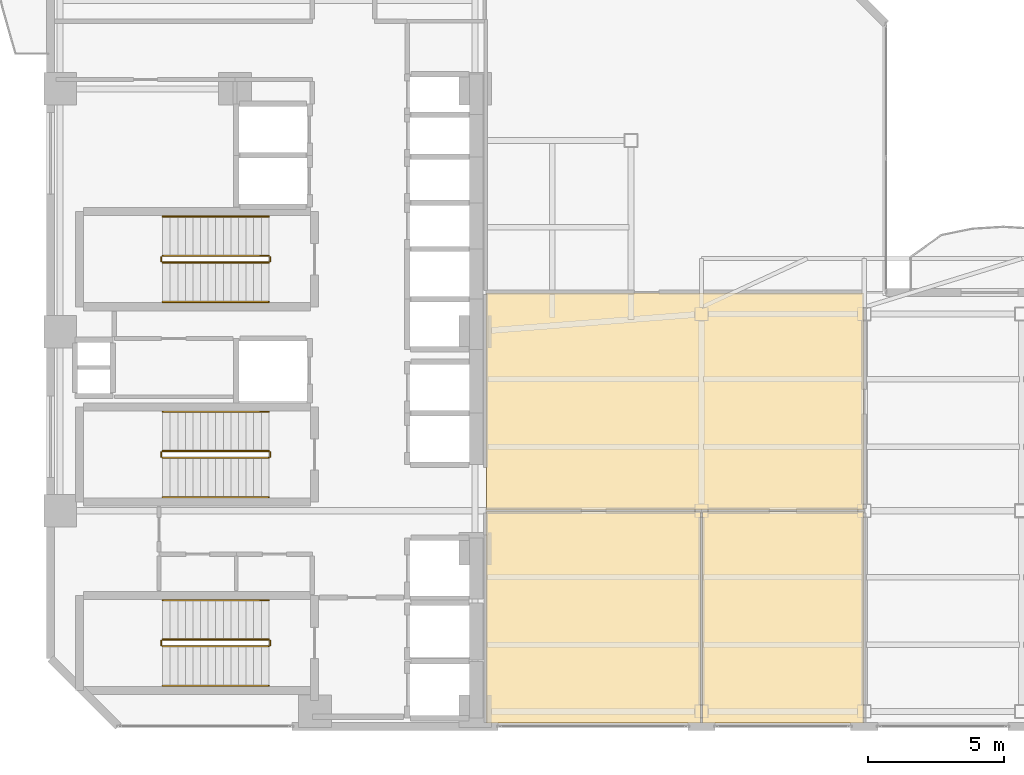
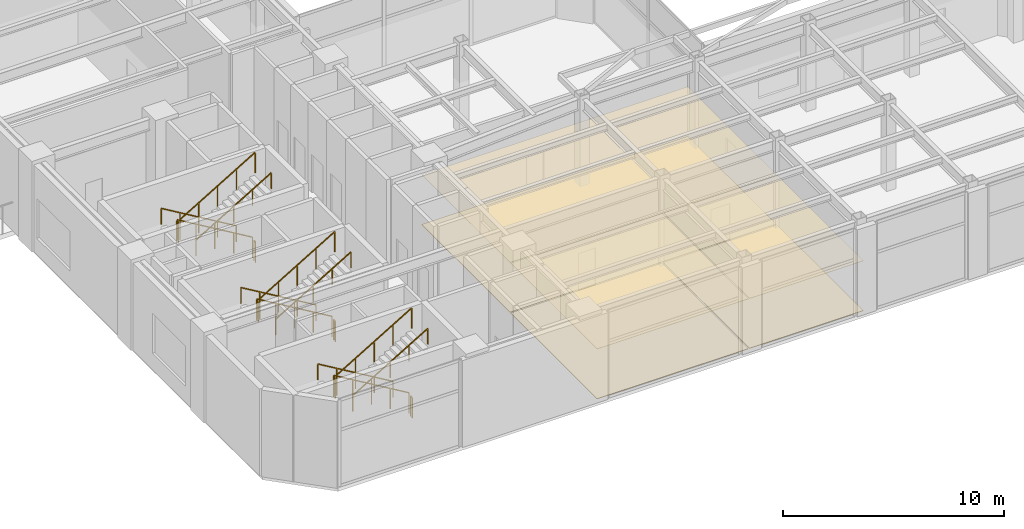
# One storey, part 21 of 23: 18 railings, 6 coverings.
"""IFC4 building model written with IfcOpenShell, lengths in metres."""

from ifc_helpers import new_model, si_unit, direction, frame, origin, origin_2d, place, context, subcontext, project, spatial, polyline, rectangle, outline, extrude, material, layer, layer_set, type_object, element, save


model = new_model("IFC4")

# Units and contexts
model_context = context("Model", 3, precision=1e-05, world=origin(), true_north=direction((0.0, 1.0)))
body_context = subcontext(model_context, "Body", "Model", "MODEL_VIEW")
ifc_project = project(units=[si_unit("LENGTHUNIT", "METRE"), si_unit("AREAUNIT", "SQUARE_METRE"), si_unit("VOLUMEUNIT", "CUBIC_METRE"), si_unit("PLANEANGLEUNIT", "RADIAN"), si_unit("MASSUNIT", "GRAM", prefix="KILO")], contexts=[model_context])

# Site, building, storey
site_placement = place(None, origin())
site = spatial("IfcSite", under=ifc_project, at=site_placement, CompositionType="ELEMENT")
building_placement = place(site_placement, origin())
building = spatial("IfcBuilding", under=site, at=building_placement, Name="Mawjaban Terraces University", CompositionType="ELEMENT")
storey_placement = place(building_placement, frame((0.0, 0.0, 98.39990234375)))
storey = spatial("IfcBuildingStorey", under=building, at=storey_placement, Name="L23", CompositionType="ELEMENT", Elevation=98.39990234375)

# Coverings
ifc_material_1 = material(Name="Acoustic mineral fibre ceiling tile", Category="masonry")
ifc_layer_1 = layer(ifc_material_1, 0.02001953125)
ifc_layer_set_1 = layer_set([ifc_layer_1], Name="Acoustic mineral fibre ceiling tile")
covering_type_1 = type_object("IfcCoveringType", Name="AcousticMineralCeiling_20", PredefinedType="CEILING", material=ifc_layer_set_1)
covering_1_placement = place(storey_placement, frame((0.0, 0.0, 2.75)))
element("IfcCovering", 1, at=covering_1_placement, inside=storey, type_object=covering_type_1, Name="L23 Transfer Sky Lobby Concourse Acoustic Ceiling", PredefinedType="CEILING", context=body_context, shape_type="SweptSolid", body=[
    extrude(outline(polyline([(51.969970703125, 15.969970703125), (38.080078125, 15.969970703125), (38.080078125, 7.97998046875), (51.969970703125, 7.97998046875), (51.969970703125, 15.969970703125)])), origin(), (0.0, 0.0, 1.0), 0.02001953125),
])
covering_2_placement = place(storey_placement, frame((0.0, 0.0, 2.75)))
element("IfcCovering", 2, at=covering_2_placement, inside=storey, type_object=covering_type_1, Name="L23 Colloquium Seminar Room 1 Acoustic Ceiling", PredefinedType="CEILING", context=body_context, shape_type="SweptSolid", body=[
    extrude(outline(polyline([(38.080078125, 0.114990234375), (45.969970703125, 0.114990234375), (45.969970703125, 7.919921875), (38.080078125, 7.919921875), (38.080078125, 0.114990234375)])), origin(), (0.0, 0.0, 1.0), 0.02001953125),
])
covering_3_placement = place(storey_placement, frame((0.0, 0.0, 2.75)))
element("IfcCovering", 3, at=covering_3_placement, inside=storey, type_object=covering_type_1, Name="L23 Colloquium Seminar Room 2 Acoustic Ceiling", PredefinedType="CEILING", context=body_context, shape_type="SweptSolid", body=[
    extrude(outline(polyline([(46.030029296875, 0.114990234375), (51.969970703125, 0.114990234375), (51.969970703125, 7.919921875), (46.030029296875, 7.919921875), (46.030029296875, 0.114990234375)])), origin(), (0.0, 0.0, 1.0), 0.02001953125),
])

# Railings
ifc_material_2 = material(Name="Brushed stainless steel 316", Category="steel")
railing_type_1 = type_object("IfcRailingType", Name="StairWallHandrail_900", PredefinedType="HANDRAIL", material=ifc_material_2)
railing_1_placement = place(storey_placement, frame((30.050048828125, 4.64990234375, 0.166748046875)))
element("IfcRailing", 4, at=railing_1_placement, inside=storey, type_object=railing_type_1, Name="L23 ST-1 stair handrail 1", PredefinedType="HANDRAIL", context=body_context, shape_type="SweptSolid", body=[
    extrude(rectangle(XDim=0.048095703125, YDim=0.048095703125, at=origin_2d()), frame((0.0, 0.0, 0.8759765625), z_axis=(-0.859310244771, 0.0, 0.511454693235), x_axis=(0.0, -1.0, 0.0)), (0.0, 0.0, 1.0), 4.56201171875),
    extrude(rectangle(XDim=0.0419921875, YDim=0.0419921875, at=origin_2d()), origin(), (0.0, 0.0, 1.0), 0.851806640625),
    extrude(rectangle(XDim=0.0419921875, YDim=0.0419921875, at=origin_2d()), frame((-0.97998046875, 0.0, 0.583251953125)), (0.0, 0.0, 1.0), 0.851806640625),
    extrude(rectangle(XDim=0.0419921875, YDim=0.0419921875, at=origin_2d()), frame((-1.9599609375, 0.0, 1.16650390625)), (0.0, 0.0, 1.0), 0.851806640625),
    extrude(rectangle(XDim=0.0419921875, YDim=0.0419921875, at=origin_2d()), frame((-2.940185546875, 0.0, 1.75)), (0.0, 0.0, 1.0), 0.851806640625),
    extrude(rectangle(XDim=0.0419921875, YDim=0.0419921875, at=origin_2d()), frame((-3.920166015625, 0.0, 2.333251953125)), (0.0, 0.0, 1.0), 0.851806640625),
])
railing_2_placement = place(storey_placement, frame((26.1298828125, 1.5, 2.666748046875)))
element("IfcRailing", 5, at=railing_2_placement, inside=storey, type_object=railing_type_1, Name="L23 ST-1 stair handrail 2", PredefinedType="HANDRAIL", context=body_context, shape_type="SweptSolid", body=[
    extrude(rectangle(XDim=0.048095703125, YDim=0.048095703125, at=origin_2d()), frame((0.0, 0.0, 0.8759765625), z_axis=(0.859310244771, 0.0, 0.511454693235), x_axis=(0.0, 1.0, 0.0)), (0.0, 0.0, 1.0), 4.56201171875),
    extrude(rectangle(XDim=0.0419921875, YDim=0.0419921875, at=origin_2d()), origin(), (0.0, 0.0, 1.0), 0.851806640625),
    extrude(rectangle(XDim=0.0419921875, YDim=0.0419921875, at=origin_2d()), frame((0.97998046875, 0.0, 0.583251953125)), (0.0, 0.0, 1.0), 0.851806640625),
    extrude(rectangle(XDim=0.0419921875, YDim=0.0419921875, at=origin_2d()), frame((1.9599609375, 0.0, 1.16650390625)), (0.0, 0.0, 1.0), 0.851806640625),
    extrude(rectangle(XDim=0.0419921875, YDim=0.0419921875, at=origin_2d()), frame((2.940185546875, 0.0, 1.75)), (0.0, 0.0, 1.0), 0.851806640625),
    extrude(rectangle(XDim=0.0419921875, YDim=0.0419921875, at=origin_2d()), frame((3.920166015625, 0.0, 2.333251953125)), (0.0, 0.0, 1.0), 0.851806640625),
])
railing_3_placement = place(storey_placement, frame((30.050048828125, 18.800048828125, 0.166748046875)))
element("IfcRailing", 6, at=railing_3_placement, inside=storey, type_object=railing_type_1, Name="L23 ST-2 stair handrail 1", PredefinedType="HANDRAIL", context=body_context, shape_type="SweptSolid", body=[
    extrude(rectangle(XDim=0.048095703125, YDim=0.048095703125, at=origin_2d()), frame((0.0, 0.0, 0.8759765625), z_axis=(-0.859310244771, 0.0, 0.511454693235), x_axis=(0.0, -1.0, 0.0)), (0.0, 0.0, 1.0), 4.56201171875),
    extrude(rectangle(XDim=0.0419921875, YDim=0.0419921875, at=origin_2d()), origin(), (0.0, 0.0, 1.0), 0.851806640625),
    extrude(rectangle(XDim=0.0419921875, YDim=0.0419921875, at=origin_2d()), frame((-0.97998046875, 0.0, 0.583251953125)), (0.0, 0.0, 1.0), 0.851806640625),
    extrude(rectangle(XDim=0.0419921875, YDim=0.0419921875, at=origin_2d()), frame((-1.9599609375, 0.0, 1.16650390625)), (0.0, 0.0, 1.0), 0.851806640625),
    extrude(rectangle(XDim=0.0419921875, YDim=0.0419921875, at=origin_2d()), frame((-2.940185546875, 0.0, 1.75)), (0.0, 0.0, 1.0), 0.851806640625),
    extrude(rectangle(XDim=0.0419921875, YDim=0.0419921875, at=origin_2d()), frame((-3.920166015625, 0.0, 2.333251953125)), (0.0, 0.0, 1.0), 0.851806640625),
])
railing_4_placement = place(storey_placement, frame((26.1298828125, 15.64990234375, 2.666748046875)))
element("IfcRailing", 7, at=railing_4_placement, inside=storey, type_object=railing_type_1, Name="L23 ST-2 stair handrail 2", PredefinedType="HANDRAIL", context=body_context, shape_type="SweptSolid", body=[
    extrude(rectangle(XDim=0.048095703125, YDim=0.048095703125, at=origin_2d()), frame((0.0, 0.0, 0.8759765625), z_axis=(0.859310244771, 0.0, 0.511454693235), x_axis=(0.0, 1.0, 0.0)), (0.0, 0.0, 1.0), 4.56201171875),
    extrude(rectangle(XDim=0.0419921875, YDim=0.0419921875, at=origin_2d()), origin(), (0.0, 0.0, 1.0), 0.851806640625),
    extrude(rectangle(XDim=0.0419921875, YDim=0.0419921875, at=origin_2d()), frame((0.97998046875, 0.0, 0.583251953125)), (0.0, 0.0, 1.0), 0.851806640625),
    extrude(rectangle(XDim=0.0419921875, YDim=0.0419921875, at=origin_2d()), frame((1.9599609375, 0.0, 1.16650390625)), (0.0, 0.0, 1.0), 0.851806640625),
    extrude(rectangle(XDim=0.0419921875, YDim=0.0419921875, at=origin_2d()), frame((2.940185546875, 0.0, 1.75)), (0.0, 0.0, 1.0), 0.851806640625),
    extrude(rectangle(XDim=0.0419921875, YDim=0.0419921875, at=origin_2d()), frame((3.920166015625, 0.0, 2.333251953125)), (0.0, 0.0, 1.0), 0.851806640625),
])
railing_5_placement = place(storey_placement, frame((30.050048828125, 11.60009765625, 0.166748046875)))
element("IfcRailing", 8, at=railing_5_placement, inside=storey, type_object=railing_type_1, Name="L23 ST-3 stair handrail 1", PredefinedType="HANDRAIL", context=body_context, shape_type="SweptSolid", body=[
    extrude(rectangle(XDim=0.048095703125, YDim=0.048095703125, at=origin_2d()), frame((0.0, 0.0, 0.8759765625), z_axis=(-0.859310244771, 0.0, 0.511454693235), x_axis=(0.0, -1.0, 0.0)), (0.0, 0.0, 1.0), 4.56201171875),
    extrude(rectangle(XDim=0.0419921875, YDim=0.0419921875, at=origin_2d()), origin(), (0.0, 0.0, 1.0), 0.851806640625),
    extrude(rectangle(XDim=0.0419921875, YDim=0.0419921875, at=origin_2d()), frame((-0.97998046875, 0.0, 0.583251953125)), (0.0, 0.0, 1.0), 0.851806640625),
    extrude(rectangle(XDim=0.0419921875, YDim=0.0419921875, at=origin_2d()), frame((-1.9599609375, 0.0, 1.16650390625)), (0.0, 0.0, 1.0), 0.851806640625),
    extrude(rectangle(XDim=0.0419921875, YDim=0.0419921875, at=origin_2d()), frame((-2.940185546875, 0.0, 1.75)), (0.0, 0.0, 1.0), 0.851806640625),
    extrude(rectangle(XDim=0.0419921875, YDim=0.0419921875, at=origin_2d()), frame((-3.920166015625, 0.0, 2.333251953125)), (0.0, 0.0, 1.0), 0.851806640625),
])
railing_6_placement = place(storey_placement, frame((26.1298828125, 8.449951171875, 2.666748046875)))
element("IfcRailing", 9, at=railing_6_placement, inside=storey, type_object=railing_type_1, Name="L23 ST-3 stair handrail 2", PredefinedType="HANDRAIL", context=body_context, shape_type="SweptSolid", body=[
    extrude(rectangle(XDim=0.048095703125, YDim=0.048095703125, at=origin_2d()), frame((0.0, 0.0, 0.8759765625), z_axis=(0.859310244771, 0.0, 0.511454693235), x_axis=(0.0, 1.0, 0.0)), (0.0, 0.0, 1.0), 4.56201171875),
    extrude(rectangle(XDim=0.0419921875, YDim=0.0419921875, at=origin_2d()), origin(), (0.0, 0.0, 1.0), 0.851806640625),
    extrude(rectangle(XDim=0.0419921875, YDim=0.0419921875, at=origin_2d()), frame((0.97998046875, 0.0, 0.583251953125)), (0.0, 0.0, 1.0), 0.851806640625),
    extrude(rectangle(XDim=0.0419921875, YDim=0.0419921875, at=origin_2d()), frame((1.9599609375, 0.0, 1.16650390625)), (0.0, 0.0, 1.0), 0.851806640625),
    extrude(rectangle(XDim=0.0419921875, YDim=0.0419921875, at=origin_2d()), frame((2.940185546875, 0.0, 1.75)), (0.0, 0.0, 1.0), 0.851806640625),
    extrude(rectangle(XDim=0.0419921875, YDim=0.0419921875, at=origin_2d()), frame((3.920166015625, 0.0, 2.333251953125)), (0.0, 0.0, 1.0), 0.851806640625),
])
ifc_material_3 = material(Name="Galvanised painted steel S355", Category="steel")
railing_type_2 = type_object("IfcRailingType", Name="StairWellGuard_1150", PredefinedType="BALUSTRADE", material=ifc_material_3)
railing_7_placement = place(storey_placement, frame((30.050048828125, 3.199951171875, 0.166748046875)))
element("IfcRailing", 10, at=railing_7_placement, inside=storey, type_object=railing_type_2, Name="L23 ST-1 stair guard 1", PredefinedType="BALUSTRADE", context=body_context, shape_type="SweptSolid", body=[
    extrude(rectangle(XDim=0.048095703125, YDim=0.048095703125, at=origin_2d()), frame((0.0, 0.0, 1.1259765625), z_axis=(-0.859310244771, 0.0, 0.511454693235), x_axis=(0.0, -1.0, 0.0)), (0.0, 0.0, 1.0), 4.56201171875),
    extrude(rectangle(XDim=0.0419921875, YDim=0.0419921875, at=origin_2d()), origin(), (0.0, 0.0, 1.0), 1.101806640625),
    extrude(rectangle(XDim=0.0419921875, YDim=0.0419921875, at=origin_2d()), frame((-0.97998046875, 0.0, 0.583251953125)), (0.0, 0.0, 1.0), 1.101806640625),
    extrude(rectangle(XDim=0.0419921875, YDim=0.0419921875, at=origin_2d()), frame((-1.9599609375, 0.0, 1.16650390625)), (0.0, 0.0, 1.0), 1.101806640625),
    extrude(rectangle(XDim=0.0419921875, YDim=0.0419921875, at=origin_2d()), frame((-2.940185546875, 0.0, 1.75)), (0.0, 0.0, 1.0), 1.101806640625),
    extrude(rectangle(XDim=0.0419921875, YDim=0.0419921875, at=origin_2d()), frame((-3.920166015625, 0.0, 2.333251953125)), (0.0, 0.0, 1.0), 1.101806640625),
])
railing_8_placement = place(storey_placement, frame((26.080078125, 3.14990234375, 2.5)))
element("IfcRailing", 11, at=railing_8_placement, inside=storey, type_object=railing_type_2, Name="L23 ST-1 stair guard 2", PredefinedType="BALUSTRADE", context=body_context, shape_type="SweptSolid", body=[
    extrude(rectangle(XDim=0.048095703125, YDim=0.048095703125, at=origin_2d()), frame((0.0, 0.0, 1.1259765625), z_axis=(0.0, -1.0, 0.0), x_axis=(1.0, 0.0, 0.0)), (0.0, 0.0, 1.0), 0.14990234375),
    extrude(rectangle(XDim=0.0419921875, YDim=0.0419921875, at=origin_2d()), origin(), (0.0, 0.0, 1.0), 1.101806640625),
    extrude(rectangle(XDim=0.0419921875, YDim=0.0419921875, at=origin_2d()), frame((0.0, -0.14990234375, 0.0)), (0.0, 0.0, 1.0), 1.101806640625),
])
railing_9_placement = place(storey_placement, frame((26.1298828125, 2.949951171875, 2.666748046875)))
element("IfcRailing", 12, at=railing_9_placement, inside=storey, type_object=railing_type_2, Name="L23 ST-1 stair guard 3", PredefinedType="BALUSTRADE", context=body_context, shape_type="SweptSolid", body=[
    extrude(rectangle(XDim=0.048095703125, YDim=0.048095703125, at=origin_2d()), frame((0.0, 0.0, 1.1259765625), z_axis=(0.859310244771, 0.0, 0.511454693235), x_axis=(0.0, 1.0, 0.0)), (0.0, 0.0, 1.0), 4.56201171875),
    extrude(rectangle(XDim=0.0419921875, YDim=0.0419921875, at=origin_2d()), origin(), (0.0, 0.0, 1.0), 1.101806640625),
    extrude(rectangle(XDim=0.0419921875, YDim=0.0419921875, at=origin_2d()), frame((0.97998046875, 0.0, 0.583251953125)), (0.0, 0.0, 1.0), 1.101806640625),
    extrude(rectangle(XDim=0.0419921875, YDim=0.0419921875, at=origin_2d()), frame((1.9599609375, 0.0, 1.16650390625)), (0.0, 0.0, 1.0), 1.101806640625),
    extrude(rectangle(XDim=0.0419921875, YDim=0.0419921875, at=origin_2d()), frame((2.940185546875, 0.0, 1.75)), (0.0, 0.0, 1.0), 1.101806640625),
    extrude(rectangle(XDim=0.0419921875, YDim=0.0419921875, at=origin_2d()), frame((3.920166015625, 0.0, 2.333251953125)), (0.0, 0.0, 1.0), 1.101806640625),
])
railing_10_placement = place(storey_placement, frame((30.10009765625, 3.14990234375, 0.0)))
element("IfcRailing", 13, at=railing_10_placement, inside=storey, type_object=railing_type_2, Name="L23 ST-1 stair guard 4", PredefinedType="BALUSTRADE", context=body_context, shape_type="SweptSolid", body=[
    extrude(rectangle(XDim=0.048095703125, YDim=0.048095703125, at=origin_2d()), frame((0.0, 0.0, 1.1259765625), z_axis=(0.0, -1.0, 0.0), x_axis=(1.0, 0.0, 0.0)), (0.0, 0.0, 1.0), 0.14990234375),
    extrude(rectangle(XDim=0.0419921875, YDim=0.0419921875, at=origin_2d()), origin(), (0.0, 0.0, 1.0), 1.101806640625),
    extrude(rectangle(XDim=0.0419921875, YDim=0.0419921875, at=origin_2d()), frame((0.0, -0.14990234375, 0.0)), (0.0, 0.0, 1.0), 1.101806640625),
])
railing_11_placement = place(storey_placement, frame((30.050048828125, 17.35009765625, 0.166748046875)))
element("IfcRailing", 14, at=railing_11_placement, inside=storey, type_object=railing_type_2, Name="L23 ST-2 stair guard 1", PredefinedType="BALUSTRADE", context=body_context, shape_type="SweptSolid", body=[
    extrude(rectangle(XDim=0.048095703125, YDim=0.048095703125, at=origin_2d()), frame((0.0, 0.0, 1.1259765625), z_axis=(-0.859310244771, 0.0, 0.511454693235), x_axis=(0.0, -1.0, 0.0)), (0.0, 0.0, 1.0), 4.56201171875),
    extrude(rectangle(XDim=0.0419921875, YDim=0.0419921875, at=origin_2d()), origin(), (0.0, 0.0, 1.0), 1.101806640625),
    extrude(rectangle(XDim=0.0419921875, YDim=0.0419921875, at=origin_2d()), frame((-0.97998046875, 0.0, 0.583251953125)), (0.0, 0.0, 1.0), 1.101806640625),
    extrude(rectangle(XDim=0.0419921875, YDim=0.0419921875, at=origin_2d()), frame((-1.9599609375, 0.0, 1.16650390625)), (0.0, 0.0, 1.0), 1.101806640625),
    extrude(rectangle(XDim=0.0419921875, YDim=0.0419921875, at=origin_2d()), frame((-2.940185546875, 0.0, 1.75)), (0.0, 0.0, 1.0), 1.101806640625),
    extrude(rectangle(XDim=0.0419921875, YDim=0.0419921875, at=origin_2d()), frame((-3.920166015625, 0.0, 2.333251953125)), (0.0, 0.0, 1.0), 1.101806640625),
])
railing_12_placement = place(storey_placement, frame((26.080078125, 17.300048828125, 2.5)))
element("IfcRailing", 15, at=railing_12_placement, inside=storey, type_object=railing_type_2, Name="L23 ST-2 stair guard 2", PredefinedType="BALUSTRADE", context=body_context, shape_type="SweptSolid", body=[
    extrude(rectangle(XDim=0.048095703125, YDim=0.048095703125, at=origin_2d()), frame((0.0, 0.0, 1.1259765625), z_axis=(0.0, -1.0, 0.0), x_axis=(1.0, 0.0, 0.0)), (0.0, 0.0, 1.0), 0.150146484375),
    extrude(rectangle(XDim=0.0419921875, YDim=0.0419921875, at=origin_2d()), origin(), (0.0, 0.0, 1.0), 1.101806640625),
    extrude(rectangle(XDim=0.0419921875, YDim=0.0419921875, at=origin_2d()), frame((0.0, -0.150146484375, 0.0)), (0.0, 0.0, 1.0), 1.101806640625),
])
railing_13_placement = place(storey_placement, frame((26.1298828125, 17.10009765625, 2.666748046875)))
element("IfcRailing", 16, at=railing_13_placement, inside=storey, type_object=railing_type_2, Name="L23 ST-2 stair guard 3", PredefinedType="BALUSTRADE", context=body_context, shape_type="SweptSolid", body=[
    extrude(rectangle(XDim=0.048095703125, YDim=0.048095703125, at=origin_2d()), frame((0.0, 0.0, 1.1259765625), z_axis=(0.859310244771, 0.0, 0.511454693235), x_axis=(0.0, 1.0, 0.0)), (0.0, 0.0, 1.0), 4.56201171875),
    extrude(rectangle(XDim=0.0419921875, YDim=0.0419921875, at=origin_2d()), origin(), (0.0, 0.0, 1.0), 1.101806640625),
    extrude(rectangle(XDim=0.0419921875, YDim=0.0419921875, at=origin_2d()), frame((0.97998046875, 0.0, 0.583251953125)), (0.0, 0.0, 1.0), 1.101806640625),
    extrude(rectangle(XDim=0.0419921875, YDim=0.0419921875, at=origin_2d()), frame((1.9599609375, 0.0, 1.16650390625)), (0.0, 0.0, 1.0), 1.101806640625),
    extrude(rectangle(XDim=0.0419921875, YDim=0.0419921875, at=origin_2d()), frame((2.940185546875, 0.0, 1.75)), (0.0, 0.0, 1.0), 1.101806640625),
    extrude(rectangle(XDim=0.0419921875, YDim=0.0419921875, at=origin_2d()), frame((3.920166015625, 0.0, 2.333251953125)), (0.0, 0.0, 1.0), 1.101806640625),
])
railing_14_placement = place(storey_placement, frame((30.10009765625, 17.300048828125, 0.0)))
element("IfcRailing", 17, at=railing_14_placement, inside=storey, type_object=railing_type_2, Name="L23 ST-2 stair guard 4", PredefinedType="BALUSTRADE", context=body_context, shape_type="SweptSolid", body=[
    extrude(rectangle(XDim=0.048095703125, YDim=0.048095703125, at=origin_2d()), frame((0.0, 0.0, 1.1259765625), z_axis=(0.0, -1.0, 0.0), x_axis=(1.0, 0.0, 0.0)), (0.0, 0.0, 1.0), 0.150146484375),
    extrude(rectangle(XDim=0.0419921875, YDim=0.0419921875, at=origin_2d()), origin(), (0.0, 0.0, 1.0), 1.101806640625),
    extrude(rectangle(XDim=0.0419921875, YDim=0.0419921875, at=origin_2d()), frame((0.0, -0.150146484375, 0.0)), (0.0, 0.0, 1.0), 1.101806640625),
])
railing_15_placement = place(storey_placement, frame((30.050048828125, 10.14990234375, 0.166748046875)))
element("IfcRailing", 18, at=railing_15_placement, inside=storey, type_object=railing_type_2, Name="L23 ST-3 stair guard 1", PredefinedType="BALUSTRADE", context=body_context, shape_type="SweptSolid", body=[
    extrude(rectangle(XDim=0.048095703125, YDim=0.048095703125, at=origin_2d()), frame((0.0, 0.0, 1.1259765625), z_axis=(-0.859310244771, 0.0, 0.511454693235), x_axis=(0.0, -1.0, 0.0)), (0.0, 0.0, 1.0), 4.56201171875),
    extrude(rectangle(XDim=0.0419921875, YDim=0.0419921875, at=origin_2d()), origin(), (0.0, 0.0, 1.0), 1.101806640625),
    extrude(rectangle(XDim=0.0419921875, YDim=0.0419921875, at=origin_2d()), frame((-0.97998046875, 0.0, 0.583251953125)), (0.0, 0.0, 1.0), 1.101806640625),
    extrude(rectangle(XDim=0.0419921875, YDim=0.0419921875, at=origin_2d()), frame((-1.9599609375, 0.0, 1.16650390625)), (0.0, 0.0, 1.0), 1.101806640625),
    extrude(rectangle(XDim=0.0419921875, YDim=0.0419921875, at=origin_2d()), frame((-2.940185546875, 0.0, 1.75)), (0.0, 0.0, 1.0), 1.101806640625),
    extrude(rectangle(XDim=0.0419921875, YDim=0.0419921875, at=origin_2d()), frame((-3.920166015625, 0.0, 2.333251953125)), (0.0, 0.0, 1.0), 1.101806640625),
])
railing_16_placement = place(storey_placement, frame((26.080078125, 10.10009765625, 2.5)))
element("IfcRailing", 19, at=railing_16_placement, inside=storey, type_object=railing_type_2, Name="L23 ST-3 stair guard 2", PredefinedType="BALUSTRADE", context=body_context, shape_type="SweptSolid", body=[
    extrude(rectangle(XDim=0.048095703125, YDim=0.048095703125, at=origin_2d()), frame((0.0, 0.0, 1.1259765625), z_axis=(0.0, -1.0, 0.0), x_axis=(1.0, 0.0, 0.0)), (0.0, 0.0, 1.0), 0.150146484375),
    extrude(rectangle(XDim=0.0419921875, YDim=0.0419921875, at=origin_2d()), origin(), (0.0, 0.0, 1.0), 1.101806640625),
    extrude(rectangle(XDim=0.0419921875, YDim=0.0419921875, at=origin_2d()), frame((0.0, -0.150146484375, 0.0)), (0.0, 0.0, 1.0), 1.101806640625),
])
railing_17_placement = place(storey_placement, frame((26.1298828125, 9.89990234375, 2.666748046875)))
element("IfcRailing", 20, at=railing_17_placement, inside=storey, type_object=railing_type_2, Name="L23 ST-3 stair guard 3", PredefinedType="BALUSTRADE", context=body_context, shape_type="SweptSolid", body=[
    extrude(rectangle(XDim=0.048095703125, YDim=0.048095703125, at=origin_2d()), frame((0.0, 0.0, 1.1259765625), z_axis=(0.859310244771, 0.0, 0.511454693235), x_axis=(0.0, 1.0, 0.0)), (0.0, 0.0, 1.0), 4.56201171875),
    extrude(rectangle(XDim=0.0419921875, YDim=0.0419921875, at=origin_2d()), origin(), (0.0, 0.0, 1.0), 1.101806640625),
    extrude(rectangle(XDim=0.0419921875, YDim=0.0419921875, at=origin_2d()), frame((0.97998046875, 0.0, 0.583251953125)), (0.0, 0.0, 1.0), 1.101806640625),
    extrude(rectangle(XDim=0.0419921875, YDim=0.0419921875, at=origin_2d()), frame((1.9599609375, 0.0, 1.16650390625)), (0.0, 0.0, 1.0), 1.101806640625),
    extrude(rectangle(XDim=0.0419921875, YDim=0.0419921875, at=origin_2d()), frame((2.940185546875, 0.0, 1.75)), (0.0, 0.0, 1.0), 1.101806640625),
    extrude(rectangle(XDim=0.0419921875, YDim=0.0419921875, at=origin_2d()), frame((3.920166015625, 0.0, 2.333251953125)), (0.0, 0.0, 1.0), 1.101806640625),
])
railing_18_placement = place(storey_placement, frame((30.10009765625, 10.10009765625, 0.0)))
element("IfcRailing", 21, at=railing_18_placement, inside=storey, type_object=railing_type_2, Name="L23 ST-3 stair guard 4", PredefinedType="BALUSTRADE", context=body_context, shape_type="SweptSolid", body=[
    extrude(rectangle(XDim=0.048095703125, YDim=0.048095703125, at=origin_2d()), frame((0.0, 0.0, 1.1259765625), z_axis=(0.0, -1.0, 0.0), x_axis=(1.0, 0.0, 0.0)), (0.0, 0.0, 1.0), 0.150146484375),
    extrude(rectangle(XDim=0.0419921875, YDim=0.0419921875, at=origin_2d()), origin(), (0.0, 0.0, 1.0), 1.101806640625),
    extrude(rectangle(XDim=0.0419921875, YDim=0.0419921875, at=origin_2d()), frame((0.0, -0.150146484375, 0.0)), (0.0, 0.0, 1.0), 1.101806640625),
])

# Coverings
ifc_material_4 = material(Name="Polished Hijazi granite terrazzo flooring", Category="masonry")
ifc_layer_2 = layer(ifc_material_4, 0.02490234375)
ifc_layer_set_2 = layer_set([ifc_layer_2], Name="Polished Hijazi granite terrazzo flooring")
covering_type_2 = type_object("IfcCoveringType", Name="TerrazzoConcourseFlooring_25", PredefinedType="FLOORING", material=ifc_layer_set_2)
covering_4_placement = place(storey_placement, origin())
element("IfcCovering", 22, at=covering_4_placement, inside=storey, type_object=covering_type_2, Name="L23 Transfer Sky Lobby Concourse Terrazzo Flooring", PredefinedType="FLOORING", context=body_context, shape_type="SweptSolid", body=[
    extrude(outline(polyline([(51.969970703125, 15.969970703125), (38.080078125, 15.969970703125), (38.080078125, 7.97998046875), (51.969970703125, 7.97998046875), (51.969970703125, 15.969970703125)])), origin(), (0.0, 0.0, 1.0), 0.025146484375),
])
covering_5_placement = place(storey_placement, origin())
element("IfcCovering", 23, at=covering_5_placement, inside=storey, type_object=covering_type_2, Name="L23 Colloquium Seminar Room 1 Terrazzo Flooring", PredefinedType="FLOORING", context=body_context, shape_type="SweptSolid", body=[
    extrude(outline(polyline([(38.080078125, 0.114990234375), (45.969970703125, 0.114990234375), (45.969970703125, 7.919921875), (38.080078125, 7.919921875), (38.080078125, 0.114990234375)])), origin(), (0.0, 0.0, 1.0), 0.025146484375),
])
covering_6_placement = place(storey_placement, origin())
element("IfcCovering", 24, at=covering_6_placement, inside=storey, type_object=covering_type_2, Name="L23 Colloquium Seminar Room 2 Terrazzo Flooring", PredefinedType="FLOORING", context=body_context, shape_type="SweptSolid", body=[
    extrude(outline(polyline([(46.030029296875, 0.114990234375), (51.969970703125, 0.114990234375), (51.969970703125, 7.919921875), (46.030029296875, 7.919921875), (46.030029296875, 0.114990234375)])), origin(), (0.0, 0.0, 1.0), 0.025146484375),
])

save(model, "model.ifc")
